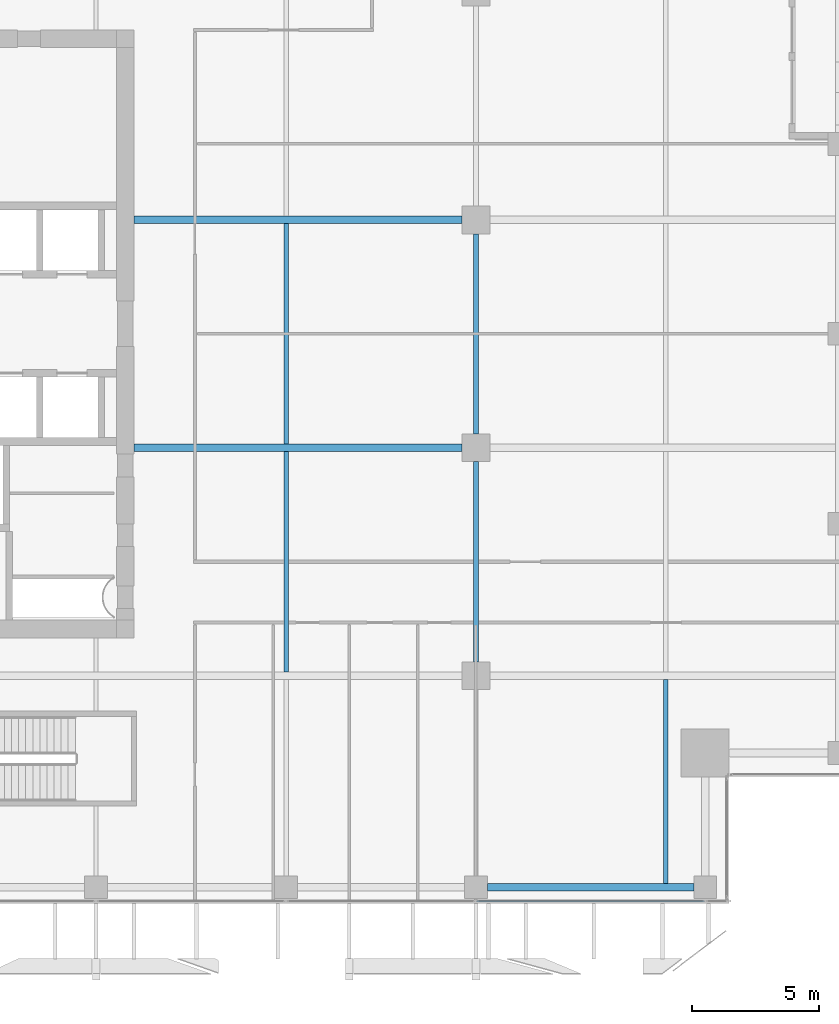
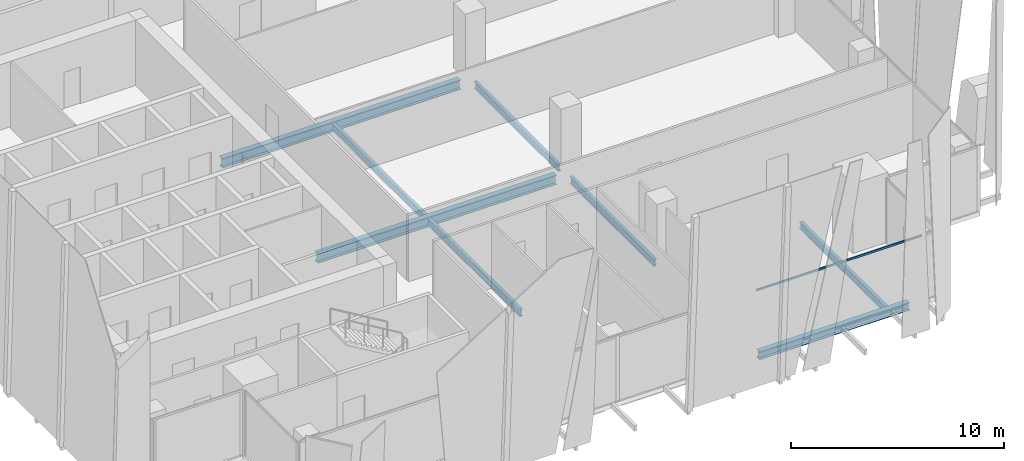
# One storey, part 7 of 35: 8 beams, 1 member, 1 element without a shape of its own.
"""IFC4 building model written with IfcOpenShell, lengths in metres."""

from ifc_helpers import new_model, si_unit, direction, frame, origin, origin_2d, place, context, subcontext, project, spatial, hollow_rectangle, i_section, extrude, source, transform, mapped, material, material_profile, profile_set, type_object, element, aggregate, save


model = new_model("IFC4")

# Units and contexts
model_context = context("Model", 3, precision=1e-05, world=origin(), true_north=direction((0.0, 1.0)))
body_context = subcontext(model_context, "Body", "Model", "MODEL_VIEW")
ifc_project = project(units=[si_unit("LENGTHUNIT", "METRE"), si_unit("AREAUNIT", "SQUARE_METRE"), si_unit("VOLUMEUNIT", "CUBIC_METRE"), si_unit("PLANEANGLEUNIT", "RADIAN"), si_unit("MASSUNIT", "GRAM", prefix="KILO")], contexts=[model_context])

# Site, building, storey
site_placement = place(None, origin())
site = spatial("IfcSite", under=ifc_project, at=site_placement, CompositionType="ELEMENT")
building_placement = place(site_placement, origin())
building = spatial("IfcBuilding", under=site, at=building_placement, Name="Khomas Fold Tower", CompositionType="ELEMENT")
storey_placement = place(building_placement, frame((0.0, 0.0, 246.199951171875)))
storey = spatial("IfcBuildingStorey", under=building, at=storey_placement, Name="L55", CompositionType="ELEMENT", Elevation=246.199951171875)

# Beams
ifc_material_1 = material(Name="Steel S355", Category="steel")
ifc_material_profile_1 = material_profile(ifc_material_1, i_section(OverallWidth=0.179931640625, OverallDepth=0.39990234375, WebThickness=0.008544921875, FlangeThickness=0.013427734375, at=origin_2d()), Name="IPE 400")
ifc_profile_set_1 = profile_set([ifc_material_profile_1], Name="Steel S355")
beam_type_1 = type_object("IfcBeamType", Name="IPE 400 beam JB3", PredefinedType="BEAM", material=ifc_profile_set_1)
shared_shape_1 = source(origin(), body_context, "Body", "SweptSolid", [
    extrude(i_section(OverallWidth=0.179931640625, OverallDepth=0.39990234375, WebThickness=0.008544921875, FlangeThickness=0.013427734375, at=origin_2d()), origin(), (0.0, 0.0, 1.0), 8.7001953125),
])
for number, where, z_axis, x_axis, name in (
    (1, (27.0, 13.64990234375, -0.449951171875), (0.0, 1.0, 0.0), (-1.0, 0.0, 0.0), "JB3"),
    (2, (27.0, 22.64990234375, -0.449951171875), (0.0, 1.0, 0.0), (-1.0, 0.0, 0.0), "JB3"),
):
    element("IfcBeam", number, at=place(storey_placement, frame(where, z_axis=z_axis, x_axis=x_axis)), inside=storey, type_object=beam_type_1, Name=name, PredefinedType="BEAM", context=body_context, shape_type="MappedRepresentation", body=[
        mapped(shared_shape_1, transform((0.0, 0.0, 0.0))),
    ])
ifc_material_2 = material(Name="Steel S355", Category="steel")
ifc_material_profile_2 = material_profile(ifc_material_2, i_section(OverallWidth=0.300048828125, OverallDepth=0.449951171875, WebThickness=0.013916015625, FlangeThickness=0.02587890625, at=origin_2d()), Name="HE 450 B")
ifc_profile_set_2 = profile_set([ifc_material_profile_2], Name="Steel S355")
beam_type_2 = type_object("IfcBeamType", Name="HE 450 B spandrel SB4", PredefinedType="SPANDREL", material=ifc_profile_set_2)
shared_shape_2 = source(origin(), body_context, "Body", "SweptSolid", [
    extrude(i_section(OverallWidth=0.300048828125, OverallDepth=0.449951171875, WebThickness=0.013916015625, FlangeThickness=0.02587890625, at=origin_2d()), origin(), (0.0, 0.0, 1.0), 8.150146484375),
])
beam_1_placement = place(storey_placement, frame((34.949951171875, 5.14990234375, -0.474853515625), z_axis=(1.0, 0.0, 0.0), x_axis=(0.0, 1.0, 0.0)))
element("IfcBeam", 3, at=beam_1_placement, inside=storey, type_object=beam_type_2, Name="SB4", PredefinedType="SPANDREL", context=body_context, shape_type="MappedRepresentation", body=[
    mapped(shared_shape_2, transform((0.0, 0.0, 0.0))),
])
ifc_material_3 = material(Name="Steel S355", Category="steel")
ifc_material_profile_3 = material_profile(ifc_material_3, i_section(OverallWidth=0.300048828125, OverallDepth=0.550048828125, WebThickness=0.014892578125, FlangeThickness=0.029052734375, at=origin_2d()), Name="HE 550 B")
ifc_profile_set_3 = profile_set([ifc_material_profile_3], Name="Steel S355")
beam_type_3 = type_object("IfcBeamType", Name="HE 550 B beam GB4", PredefinedType="BEAM", material=ifc_profile_set_3)
shared_shape_3 = source(origin(), body_context, "Body", "SweptSolid", [
    extrude(i_section(OverallWidth=0.300048828125, OverallDepth=0.550048828125, WebThickness=0.014892578125, FlangeThickness=0.029052734375, at=origin_2d()), origin(), (0.0, 0.0, 1.0), 12.949951171875),
])
for number, where, z_axis, x_axis, name in (
    (4, (21.0, 22.5, -0.52490234375), (1.0, 0.0, 0.0), (0.0, 1.0, 0.0), "GB4"),
    (5, (21.0, 31.5, -0.52490234375), (1.0, 0.0, 0.0), (0.0, 1.0, 0.0), "GB4"),
):
    element("IfcBeam", number, at=place(storey_placement, frame(where, z_axis=z_axis, x_axis=x_axis)), inside=storey, type_object=beam_type_3, Name=name, PredefinedType="BEAM", context=body_context, shape_type="MappedRepresentation", body=[
        mapped(shared_shape_3, transform((0.0, 0.0, 0.0))),
    ])
shared_shape_4 = source(origin(), body_context, "Body", "SweptSolid", [
    extrude(i_section(OverallWidth=0.179931640625, OverallDepth=0.39990234375, WebThickness=0.008544921875, FlangeThickness=0.013427734375, at=origin_2d()), origin(), (0.0, 0.0, 1.0), 8.050048828125),
])
beam_2_placement = place(storey_placement, frame((42.0, 5.300048828125, -0.449951171875), z_axis=(0.0, 1.0, 0.0), x_axis=(-1.0, 0.0, 0.0)))
element("IfcBeam", 6, at=beam_2_placement, inside=storey, type_object=beam_type_1, Name="JB3", PredefinedType="BEAM", context=body_context, shape_type="MappedRepresentation", body=[
    mapped(shared_shape_4, transform((0.0, 0.0, 0.0))),
])
shared_shape_5 = source(origin(), body_context, "Body", "SweptSolid", [
    extrude(i_section(OverallWidth=0.179931640625, OverallDepth=0.39990234375, WebThickness=0.008544921875, FlangeThickness=0.013427734375, at=origin_2d()), origin(), (0.0, 0.0, 1.0), 7.89990234375),
])
for number, where, z_axis, x_axis, name in (
    (7, (34.5, 14.050048828125, -0.449951171875), (0.0, 1.0, 0.0), (-1.0, 0.0, 0.0), "JB3"),
    (8, (34.5, 23.050048828125, -0.449951171875), (0.0, 1.0, 0.0), (-1.0, 0.0, 0.0), "JB3"),
):
    element("IfcBeam", number, at=place(storey_placement, frame(where, z_axis=z_axis, x_axis=x_axis)), inside=storey, type_object=beam_type_1, Name=name, PredefinedType="BEAM", context=body_context, shape_type="MappedRepresentation", body=[
        mapped(shared_shape_5, transform((0.0, 0.0, 0.0))),
    ])

# Curtain wall, member
ifc_material_4 = material(Name="Aluminium framed double glazing", Category="aluminium")
curtain_wall_type = type_object("IfcCurtainWallType", Name="SK-Unitised clear-glass wall, office floors CW2", PredefinedType="NOTDEFINED", material=ifc_material_4)
curtain_wall_placement = place(storey_placement, origin())
curtain_wall = element("IfcCurtainWall", 9, at=curtain_wall_placement, inside=storey, type_object=curtain_wall_type, Name="CW2 run L55 00-0", PredefinedType="NOTDEFINED")
ifc_material_5 = material(Name="Aluminium", Category="aluminium")
ifc_material_profile_4 = material_profile(ifc_material_5, hollow_rectangle(XDim=0.050048828125, YDim=0.110107421875, WallThickness=0.00390625, at=origin_2d()), Name="SK-Unitised clear-glass wall, office floors transom CW2-T")
ifc_profile_set_4 = profile_set([ifc_material_profile_4], Name="Aluminium")
member_type = type_object("IfcMemberType", Name="SK-Unitised clear-glass wall, office floors transom CW2-T", PredefinedType="USERDEFINED", material=ifc_profile_set_4)
shared_shape_6 = source(origin(), body_context, "Body", "SweptSolid", [
    extrude(hollow_rectangle(XDim=0.050048828125, YDim=0.110107421875, WallThickness=0.00390625, at=origin_2d()), origin(), (0.0, 0.0, 1.0), 8.989990234375),
])
member_placement = place(storey_placement, frame((34.530029296875, 4.60009765625, 3.695068359375), z_axis=(1.0, 0.0, 0.0), x_axis=(0.0, 1.0, 0.0)))
member = element("IfcMember", 10, at=member_placement, type_object=member_type, Name="CW2 transom 5", ObjectType="TRANSOM", PredefinedType="USERDEFINED", context=body_context, shape_type="MappedRepresentation", body=[
    mapped(shared_shape_6, transform((0.0, 0.0, 0.0))),
])
aggregate(curtain_wall, [member])

save(model, "model.ifc")
